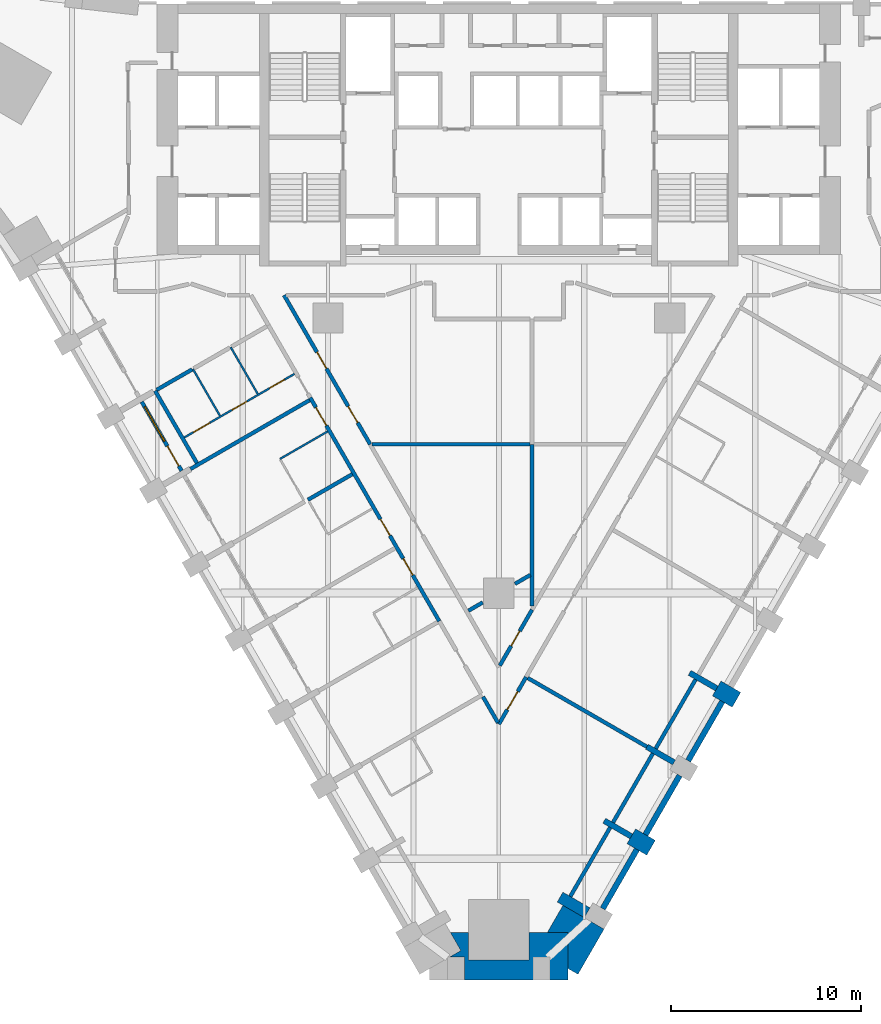
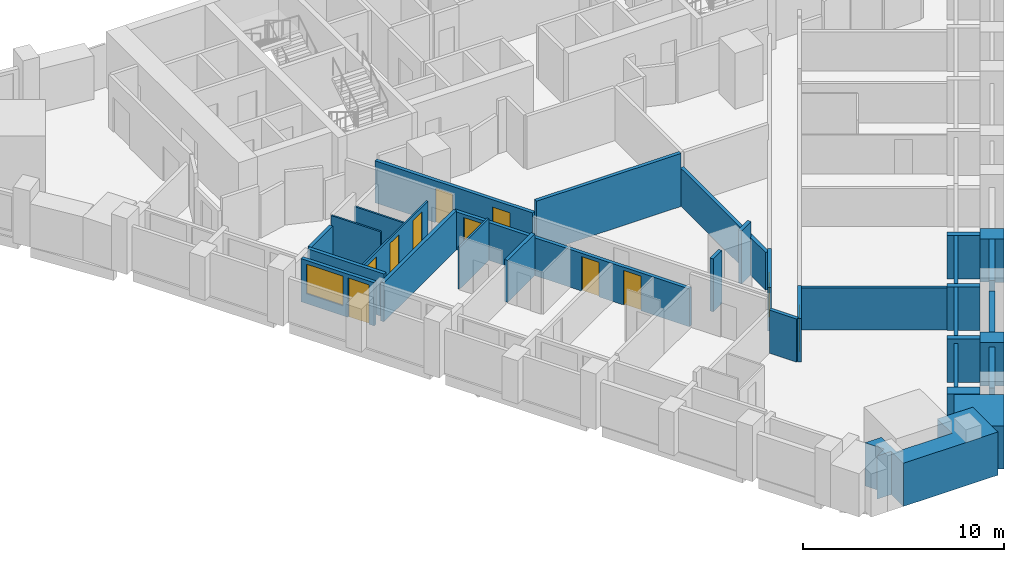
# One storey, part 4 of 11: 33 walls, 11 doors, 1 window, 12 openings.
"""IFC4 building model written with IfcOpenShell, lengths in metres."""

from ifc_helpers import new_model, si_unit, direction, frame, frame_2d, origin, place, context, subcontext, project, spatial, polyline, rectangle, outline, extrude, material, layer, layer_set, type_object, element, fill, save


model = new_model("IFC4")

# Units and contexts
model_context = context("Model", 3, precision=1e-05, world=origin(), true_north=direction((0.0, 1.0)))
body_context = subcontext(model_context, "Body", "Model", "MODEL_VIEW")
ifc_project = project(units=[si_unit("LENGTHUNIT", "METRE"), si_unit("AREAUNIT", "SQUARE_METRE"), si_unit("VOLUMEUNIT", "CUBIC_METRE"), si_unit("PLANEANGLEUNIT", "RADIAN"), si_unit("MASSUNIT", "GRAM", prefix="KILO")], contexts=[model_context])

# Site, building, storey
site_placement = place(None, origin())
site = spatial("IfcSite", under=ifc_project, at=site_placement, CompositionType="ELEMENT")
building_placement = place(site_placement, origin())
building = spatial("IfcBuilding", under=site, at=building_placement, Name="Calabash Gate Tower", CompositionType="ELEMENT")
storey_placement = place(building_placement, frame((0.0, 0.0, 49.39990234375)))
storey = spatial("IfcBuildingStorey", under=building, at=storey_placement, Name="L07", CompositionType="ELEMENT", Elevation=49.39990234375)

# Walls
ifc_material_1 = material(Name="Terracotta brick masonry, exposed face", Category="masonry")
ifc_layer_1 = layer(ifc_material_1, 2.5)
ifc_layer_set_1 = layer_set([ifc_layer_1], Name="Brick corner mass wall 2500")
wall_type_1 = type_object("IfcWallType", Name="Brick corner mass wall 2500", PredefinedType="SOLIDWALL", material=ifc_layer_set_1)
wall_1_placement = place(storey_placement, origin())
element("IfcWall", 1, at=wall_1_placement, inside=storey, type_object=wall_type_1, Name="Brick corner pier S01 2bb", PredefinedType="SOLIDWALL", context=body_context, shape_type="SweptSolid", body=[
    extrude(outline(polyline([(-1.800048828125, -31.18310546875), (-1.800048828125, -32.383056640625), (3.64990234375, -32.383056640625), (3.64990234375, -29.883056640625), (1.60009765625, -29.883056640625), (1.60009765625, -31.3330078125), (-1.60009765625, -31.3330078125), (-1.60009765625, -29.883056640625), (-2.552978515625, -29.883056640625), (-2.004638671875, -30.833251953125), (-2.610595703125, -31.18310546875), (-1.800048828125, -31.18310546875)])), origin(), (0.0, 0.0, 1.0), 2.630126953125),
])
wall_2_placement = place(storey_placement, origin())
element("IfcWall", 2, at=wall_2_placement, inside=storey, type_object=wall_type_1, Name="Brick corner pier S01 2c", PredefinedType="SOLIDWALL", context=body_context, shape_type="SweptSolid", body=[
    extrude(outline(polyline([(4.50537109375, -29.1015625), (3.379638671875, -28.45166015625), (2.552978515625, -29.883056640625), (3.64990234375, -29.883056640625), (3.64990234375, -31.783203125), (4.169677734375, -32.083251953125), (5.54443359375, -29.70166015625), (4.50537109375, -29.101806640625), (4.50537109375, -29.1015625)])), origin(), (0.0, 0.0, 1.0), 2.630126953125),
])
ifc_material_2 = material(Name="Terracotta brick masonry, exposed face", Category="masonry")
ifc_layer_2 = layer(ifc_material_2, 1.199951171875)
ifc_layer_set_2 = layer_set([ifc_layer_2], Name="Brick end wall 1200")
wall_type_2 = type_object("IfcWallType", Name="Brick end wall 1200", PredefinedType="SOLIDWALL", material=ifc_layer_set_2)
for number, where, z_axis, x_axis, name in (
    (3, (6.98046875, -24.814697265625, 0.0), (0.0, 0.0, 1.0), (0.865955154139, -0.50012165622, 0.0), "Brick pier S01 SE2.1"),
    (4, (12.51953125, -17.62060546875, 0.0), (0.0, 0.0, 1.0), (-0.865955154139, 0.50012165622, 0.0), "Brick pier S01 SE2.3"),
):
    element("IfcWall", number, at=place(storey_placement, frame(where, z_axis=z_axis, x_axis=x_axis)), inside=storey, type_object=wall_type_2, Name=name, PredefinedType="SOLIDWALL", context=body_context, shape_type="SweptSolid", body=[
        extrude(rectangle(XDim=1.199951171875, YDim=0.89990234375, at=frame_2d((0.60009765625, 0.0))), origin(), (0.0, 0.0, 1.0), 2.630126953125),
    ])
ifc_material_3 = material(Name="Terracotta brick masonry, exposed face", Category="masonry")
ifc_layer_3 = layer(ifc_material_3, 0.300048828125)
ifc_layer_set_3 = layer_set([ifc_layer_3], Name="Brick infill panel wall 300")
wall_type_3 = type_object("IfcWallType", Name="Brick infill panel wall 300", PredefinedType="SOLIDWALL", material=ifc_layer_set_3)
wall_3_placement = place(storey_placement, frame((5.47509765625, -28.6220703125, 0.0), z_axis=(0.0, 0.0, 1.0), x_axis=(0.499961193289, 0.866047807691, 0.0)))
element("IfcWall", 5, at=wall_3_placement, inside=storey, type_object=wall_type_3, Name="Brick panel S01 SE2.1", PredefinedType="SOLIDWALL", context=body_context, shape_type="SweptSolid", body=[
    extrude(rectangle(XDim=3.599853515625, YDim=0.300048828125, at=frame_2d((1.7998046875, 0.0))), origin(), (0.0, 0.0, 1.0), 2.3740234375),
])
for number, where, z_axis, x_axis, name in (
    (6, (7.72509765625, -24.72509765625, 0.0), (0.0, 0.0, 1.0), (0.499961193289, 0.866047807691, 0.0), "Brick panel S01 SE2.2"),
    (7, (9.97509765625, -20.827880859375, 0.0), (0.0, 0.0, 1.0), (0.499961193289, 0.866047807691, 0.0), "Brick panel S01 SE2.3"),
):
    element("IfcWall", number, at=place(storey_placement, frame(where, z_axis=z_axis, x_axis=x_axis)), inside=storey, type_object=wall_type_3, Name=name, PredefinedType="SOLIDWALL", context=body_context, shape_type="SweptSolid", body=[
        extrude(rectangle(XDim=3.599853515625, YDim=0.300048828125, at=frame_2d((1.7998046875, 0.0))), origin(), (0.0, 0.0, 1.0), 2.630126953125),
    ])
ifc_material_4 = material(Name="Terracotta brick masonry, exposed face", Category="masonry")
ifc_layer_4 = layer(ifc_material_4, 0.300048828125)
ifc_layer_set_4 = layer_set([ifc_layer_4], Name="Brick loggia cheek wall 300")
wall_type_4 = type_object("IfcWallType", Name="Brick loggia cheek wall 300", PredefinedType="SOLIDWALL", material=ifc_layer_set_4)
wall_4_placement = place(storey_placement, frame((3.226318359375, -28.016845703125, 0.0), z_axis=(0.0, 0.0, 1.0), x_axis=(0.866040211805, -0.499974350878, 0.0)))
element("IfcWall", 8, at=wall_4_placement, inside=storey, type_object=wall_type_4, Name="Loggia cheek S01 SE2.0", PredefinedType="SOLIDWALL", context=body_context, shape_type="SweptSolid", body=[
    extrude(rectangle(XDim=1.64990234375, YDim=0.60009765625, at=frame_2d((0.824951171875, 0.0))), origin(), (0.0, 0.0, 1.0), 2.650146484375),
])
wall_5_placement = place(storey_placement, frame((6.98046875, -24.814697265625, 0.0), z_axis=(0.0, 0.0, 1.0), x_axis=(-0.866040211805, 0.499974350878, 0.0)))
element("IfcWall", 9, at=wall_5_placement, inside=storey, type_object=wall_type_4, Name="Loggia cheek S01 SE2.1", PredefinedType="SOLIDWALL", context=body_context, shape_type="SweptSolid", body=[
    extrude(rectangle(XDim=1.64990234375, YDim=0.300048828125, at=frame_2d((0.824951171875, 0.0))), origin(), (0.0, 0.0, 1.0), 2.650146484375),
])
wall_6_placement = place(storey_placement, frame((7.801513671875, -20.092529296875, 0.0), z_axis=(0.0, 0.0, 1.0), x_axis=(0.865976140824, -0.500085316245, 0.0)))
element("IfcWall", 10, at=wall_6_placement, inside=storey, type_object=wall_type_4, Name="Loggia cheek S01 SE2.2", PredefinedType="SOLIDWALL", context=body_context, shape_type="SweptSolid", body=[
    extrude(rectangle(XDim=1.650146484375, YDim=0.300048828125, at=frame_2d((0.8251953125, 0.0))), origin(), (0.0, 0.0, 1.0), 2.650146484375),
])
wall_7_placement = place(storey_placement, frame((11.48046875, -17.0205078125, 0.0), z_axis=(0.0, 0.0, 1.0), x_axis=(-0.866040211805, 0.499974350878, 0.0)))
element("IfcWall", 11, at=wall_7_placement, inside=storey, type_object=wall_type_4, Name="Loggia cheek S01 SE2.3", PredefinedType="SOLIDWALL", context=body_context, shape_type="SweptSolid", body=[
    extrude(rectangle(XDim=1.64990234375, YDim=0.300048828125, at=frame_2d((0.824951171875, 0.0))), origin(), (0.0, 0.0, 1.0), 2.650146484375),
])

# Wall, openings, doors
ifc_material_5 = material(Name="Gypsum board on steel studs, mineral wool", Category="steel")
ifc_layer_5 = layer(ifc_material_5, 0.10009765625)
ifc_layer_set_5 = layer_set([ifc_layer_5], Name="Partition 100 gypsum board")
wall_type_5 = type_object("IfcWallType", Name="Partition 100 gypsum board", PredefinedType="PARTITIONING", material=ifc_layer_set_5)
wall_8_placement = place(storey_placement, frame((-16.57373046875, -3.79541015625, 0.0), z_axis=(0.0, 0.0, 1.0), x_axis=(0.866015588977, 0.500016999361, 0.0)))
wall_8 = element("IfcWall", 12, at=wall_8_placement, inside=storey, type_object=wall_type_5, Name="Partition", PredefinedType="PARTITIONING", context=body_context, shape_type="SweptSolid", body=[
    extrude(rectangle(XDim=6.696533203125, YDim=0.10009765625, at=frame_2d((3.34814453125, 0.0))), origin(), (0.0, 0.0, 1.0), 2.38427734375),
])
opening_1_placement = place(wall_8_placement, frame((5.1982421875, 0.0, 0.0)))
opening_1 = element("IfcOpeningElement", 13, at=opening_1_placement, cuts=wall_8, Name="Opening 06-08-021", PredefinedType="OPENING", context=body_context, shape_type="SweptSolid", body=[
    extrude(rectangle(XDim=0.89990234375, YDim=2.10009765625, at=frame_2d((0.449951171875, 1.050048828125))), frame((0.0, 0.06005859375, 0.0), z_axis=(0.0, -1.0, 0.0), x_axis=(1.0, 0.0, 0.0)), (0.0, 0.0, 1.0), 0.1201171875),
])
opening_2_placement = place(wall_8_placement, frame((2.898193359375, 0.0, 0.0)))
opening_2 = element("IfcOpeningElement", 14, at=opening_2_placement, cuts=wall_8, Name="Opening 06-08-022", PredefinedType="OPENING", context=body_context, shape_type="SweptSolid", body=[
    extrude(rectangle(XDim=0.89990234375, YDim=2.10009765625, at=frame_2d((0.449951171875, 1.050048828125))), frame((0.0, 0.06005859375, 0.0), z_axis=(0.0, -1.0, 0.0), x_axis=(1.0, 0.0, 0.0)), (0.0, 0.0, 1.0), 0.1201171875),
])
opening_3_placement = place(wall_8_placement, frame((0.548095703125, 0.0, 0.0)))
opening_3 = element("IfcOpeningElement", 15, at=opening_3_placement, cuts=wall_8, Name="Opening 06-08-023", PredefinedType="OPENING", context=body_context, shape_type="SweptSolid", body=[
    extrude(rectangle(XDim=1.0, YDim=2.10009765625, at=frame_2d((0.5, 1.050048828125))), frame((0.0, 0.06005859375, 0.0), z_axis=(0.0, -1.0, 0.0), x_axis=(1.0, 0.0, 0.0)), (0.0, 0.0, 1.0), 0.1201171875),
])
ifc_material_6 = material(Name="Painted timber door", Category="wood")
door_type_1 = type_object("IfcDoorType", Name="WD1 WC door 900x2100", OperationType="NOTDEFINED", PredefinedType="DOOR", material=ifc_material_6)
door_1_placement = place(opening_1_placement, origin())
door_1 = element("IfcDoor", 16, at=door_1_placement, inside=storey, type_object=door_type_1, Name="WC door", OperationType="SINGLE_SWING_RIGHT", OverallHeight=2.10009765625, OverallWidth=0.89990234375, PredefinedType="DOOR", context=body_context, shape_type="SweptSolid", body=[
    extrude(rectangle(XDim=0.89990234375, YDim=2.10009765625, at=frame_2d((0.449951171875, 1.050048828125))), frame((0.0, 0.02490234375, 0.0), z_axis=(0.0, -1.0, 0.0), x_axis=(1.0, 0.0, 0.0)), (0.0, 0.0, 1.0), 0.050048828125),
])
fill(opening_1, door_1)
door_2_placement = place(opening_2_placement, origin())
door_2 = element("IfcDoor", 17, at=door_2_placement, inside=storey, type_object=door_type_1, Name="WC door", OperationType="SINGLE_SWING_RIGHT", OverallHeight=2.10009765625, OverallWidth=0.89990234375, PredefinedType="DOOR", context=body_context, shape_type="SweptSolid", body=[
    extrude(rectangle(XDim=0.89990234375, YDim=2.10009765625, at=frame_2d((0.449951171875, 1.050048828125))), frame((0.0, 0.02490234375, 0.0), z_axis=(0.0, -1.0, 0.0), x_axis=(1.0, 0.0, 0.0)), (0.0, 0.0, 1.0), 0.050048828125),
])
fill(opening_2, door_2)
ifc_material_7 = material(Name="Painted timber door", Category="wood")
door_type_2 = type_object("IfcDoorType", Name="WD2 Accessible WC door 1000x2100", OperationType="NOTDEFINED", PredefinedType="DOOR", material=ifc_material_7)
door_3_placement = place(opening_3_placement, origin())
door_3 = element("IfcDoor", 18, at=door_3_placement, inside=storey, type_object=door_type_2, Name="Accessible WC door", OperationType="SINGLE_SWING_LEFT", OverallHeight=2.10009765625, OverallWidth=1.0, PredefinedType="DOOR", context=body_context, shape_type="SweptSolid", body=[
    extrude(rectangle(XDim=1.0, YDim=2.10009765625, at=frame_2d((0.5, 1.050048828125))), frame((0.0, 0.02490234375, 0.0), z_axis=(0.0, -1.0, 0.0), x_axis=(1.0, 0.0, 0.0)), (0.0, 0.0, 1.0), 0.050048828125),
])
fill(opening_3, door_3)

# Walls
wall_9_placement = place(storey_placement, frame((-11.5341796875, -4.92724609375, 0.0), z_axis=(0.0, 0.0, 1.0), x_axis=(0.866293497561, 0.499535360193, 0.0)))
element("IfcWall", 19, at=wall_9_placement, inside=storey, type_object=wall_type_5, Name="Partition", PredefinedType="PARTITIONING", context=body_context, shape_type="SweptSolid", body=[
    extrude(rectangle(XDim=2.899658203125, YDim=0.10009765625, at=frame_2d((1.44970703125, 0.0))), origin(), (0.0, 0.0, 1.0), 2.552001953125),
])
wall_10_placement = place(storey_placement, frame((-16.121826171875, -0.185302734375, 0.0), z_axis=(0.0, 0.0, 1.0), x_axis=(0.500026428979, -0.866010144469, 0.0)))
element("IfcWall", 20, at=wall_10_placement, inside=storey, type_object=wall_type_5, Name="Partition", PredefinedType="PARTITIONING", context=body_context, shape_type="SweptSolid", body=[
    extrude(rectangle(XDim=2.850341796875, YDim=0.10009765625, at=frame_2d((1.42529296875, 0.0))), origin(), (0.0, 0.0, 1.0), 3.22998046875),
])
wall_11_placement = place(storey_placement, frame((-14.1298828125, 0.964599609375, 0.0), z_axis=(0.0, 0.0, 1.0), x_axis=(0.499962189394, -0.866047232647, 0.0)))
element("IfcWall", 21, at=wall_11_placement, inside=storey, type_object=wall_type_5, Name="Partition", PredefinedType="PARTITIONING", context=body_context, shape_type="SweptSolid", body=[
    extrude(rectangle(XDim=2.850341796875, YDim=0.10009765625, at=frame_2d((1.42529296875, 0.0))), origin(), (0.0, 0.0, 1.0), 2.38427734375),
])

# Wall, opening, door
ifc_material_8 = material(Name="Gypsum board on steel studs, mineral wool", Category="steel")
ifc_layer_6 = layer(ifc_material_8, 0.199951171875)
ifc_layer_set_6 = layer_set([ifc_layer_6], Name="Partition 200 gypsum board EI 60")
wall_type_6 = type_object("IfcWallType", Name="Partition 200 gypsum board EI 60", PredefinedType="PARTITIONING", material=ifc_layer_set_6)
wall_12_placement = place(storey_placement, frame((0.000244140625, -18.905517578125, 0.0), z_axis=(0.0, 0.0, 1.0), x_axis=(0.50046312627, 0.865757852545, 0.0)))
wall_12 = element("IfcWall", 22, at=wall_12_placement, inside=storey, type_object=wall_type_6, Name="Partition", PredefinedType="PARTITIONING", context=body_context, shape_type="SweptSolid", body=[
    extrude(rectangle(XDim=2.871826171875, YDim=0.199951171875, at=frame_2d((1.43603515625, 0.0))), origin(), (0.0, 0.0, 1.0), 2.628173828125),
])
opening_4_placement = place(wall_12_placement, frame((0.88623046875, 0.0, 0.0)))
opening_4 = element("IfcOpeningElement", 23, at=opening_4_placement, cuts=wall_12, Name="Opening 06-08-029", PredefinedType="OPENING", context=body_context, shape_type="SweptSolid", body=[
    extrude(rectangle(XDim=1.10009765625, YDim=2.10009765625, at=frame_2d((0.550048828125, 1.050048828125))), frame((0.0, 0.10986328125, 0.0), z_axis=(0.0, -1.0, 0.0), x_axis=(1.0, 0.0, 0.0)), (0.0, 0.0, 1.0), 0.219970703125),
])
ifc_material_9 = material(Name="Steel fire door set with fire-resisting glazing", Category="steel")
door_type_3 = type_object("IfcDoorType", Name="GD3 Suite entrance door 1100x2100", OperationType="NOTDEFINED", PredefinedType="DOOR", material=ifc_material_9)
door_4_placement = place(opening_4_placement, origin())
door_4 = element("IfcDoor", 24, at=door_4_placement, inside=storey, type_object=door_type_3, Name="Suite entrance door", OperationType="SINGLE_SWING_LEFT", OverallHeight=2.10009765625, OverallWidth=1.10009765625, PredefinedType="DOOR", context=body_context, shape_type="SweptSolid", body=[
    extrude(rectangle(XDim=1.10009765625, YDim=2.10009765625, at=frame_2d((0.550048828125, 1.050048828125))), frame((0.0, 0.02490234375, 0.0), z_axis=(0.0, -1.0, 0.0), x_axis=(1.0, 0.0, 0.0)), (0.0, 0.0, 1.0), 0.050048828125),
])
fill(opening_4, door_4)

# Walls
wall_13_placement = place(storey_placement, frame((-0.836181640625, -17.45751953125, 0.0), z_axis=(0.0, 0.0, 1.0), x_axis=(0.50013013712, -0.865950256045, 0.0)))
element("IfcWall", 25, at=wall_13_placement, inside=storey, type_object=wall_type_6, Name="Partition", PredefinedType="PARTITIONING", context=body_context, shape_type="SweptSolid", body=[
    extrude(rectangle(XDim=1.572265625, YDim=0.199951171875, at=frame_2d((0.7861328125, 0.0))), origin(), (0.0, 0.0, 1.0), 2.628173828125),
])
wall_14_placement = place(storey_placement, frame((1.522216796875, -16.469482421875, 0.0), z_axis=(0.0, 0.0, 1.0), x_axis=(0.866125590059, -0.499826432119, 0.0)))
element("IfcWall", 26, at=wall_14_placement, inside=storey, type_object=wall_type_6, Name="Partition", PredefinedType="PARTITIONING", context=body_context, shape_type="SweptSolid", body=[
    extrude(rectangle(XDim=7.24951171875, YDim=0.199951171875, at=frame_2d((3.624755859375, 0.0))), origin(), (0.0, 0.0, 1.0), 2.552001953125),
])

# Wall, opening, door
wall_15_placement = place(storey_placement, frame((0.050048828125, -15.818115234375, 0.0), z_axis=(0.0, 0.0, 1.0), x_axis=(0.499521489101, 0.866301495974, 0.0)))
wall_15 = element("IfcWall", 27, at=wall_15_placement, inside=storey, type_object=wall_type_6, Name="Partition", PredefinedType="PARTITIONING", context=body_context, shape_type="SweptSolid", body=[
    extrude(rectangle(XDim=3.400634765625, YDim=0.199951171875, at=frame_2d((1.7001953125, 0.0))), origin(), (0.0, 0.0, 1.0), 2.628173828125),
])
opening_5_placement = place(wall_15_placement, frame((1.199951171875, 0.0, 0.0)))
opening_5 = element("IfcOpeningElement", 28, at=opening_5_placement, cuts=wall_15, Name="Opening 06-08-017", PredefinedType="OPENING", context=body_context, shape_type="SweptSolid", body=[
    extrude(rectangle(XDim=0.89990234375, YDim=2.10009765625, at=frame_2d((0.449951171875, 1.050048828125))), frame((0.0, 0.10986328125, 0.0), z_axis=(0.0, -1.0, 0.0), x_axis=(1.0, 0.0, 0.0)), (0.0, 0.0, 1.0), 0.219970703125),
])
ifc_material_10 = material(Name="Steel fire door set with fire-resisting glazing", Category="steel")
door_type_4 = type_object("IfcDoorType", Name="SD3 Store door 900x2100", OperationType="NOTDEFINED", PredefinedType="DOOR", material=ifc_material_10)
door_5_placement = place(opening_5_placement, origin())
door_5 = element("IfcDoor", 29, at=door_5_placement, inside=storey, type_object=door_type_4, Name="Store door", OperationType="SINGLE_SWING_LEFT", OverallHeight=2.10009765625, OverallWidth=0.89990234375, PredefinedType="DOOR", context=body_context, shape_type="SweptSolid", body=[
    extrude(rectangle(XDim=0.89990234375, YDim=2.10009765625, at=frame_2d((0.449951171875, 1.050048828125))), frame((0.0, 0.02490234375, 0.0), z_axis=(0.0, -1.0, 0.0), x_axis=(1.0, 0.0, 0.0)), (0.0, 0.0, 1.0), 0.050048828125),
])
fill(opening_5, door_5)

# Walls
wall_16_placement = place(storey_placement, frame((-1.603515625, -12.923583984375, 0.0), z_axis=(0.0, 0.0, 1.0), x_axis=(0.866960927484, 0.498376113207, 0.0)))
element("IfcWall", 30, at=wall_16_placement, inside=storey, type_object=wall_type_6, Name="Partition", PredefinedType="PARTITIONING", context=body_context, shape_type="SweptSolid", body=[
    extrude(rectangle(XDim=0.869140625, YDim=0.199951171875, at=frame_2d((0.4345703125, 0.0))), origin(), (0.0, 0.0, 1.0), 3.22998046875),
])
wall_17_placement = place(storey_placement, frame((1.748046875, -12.673583984375, 0.0), z_axis=(0.0, 0.0, 1.0), x_axis=(0.0, 1.0, 0.0)))
element("IfcWall", 31, at=wall_17_placement, inside=storey, type_object=wall_type_6, Name="Partition", PredefinedType="PARTITIONING", context=body_context, shape_type="SweptSolid", body=[
    extrude(rectangle(XDim=8.515869140625, YDim=0.199951171875, at=frame_2d((4.2578125, 0.0))), origin(), (0.0, 0.0, 1.0), 2.302490234375),
])
wall_18_placement = place(storey_placement, frame((0.85009765625, -11.509033203125, 0.0), z_axis=(0.0, 0.0, 1.0), x_axis=(0.865248014814, 0.501344066345, 0.0)))
element("IfcWall", 32, at=wall_18_placement, inside=storey, type_object=wall_type_6, Name="Partition", PredefinedType="PARTITIONING", context=body_context, shape_type="SweptSolid", body=[
    extrude(rectangle(XDim=0.93798828125, YDim=0.199951171875, at=frame_2d((0.468994140625, 0.0))), origin(), (0.0, 0.0, 1.0), 3.22998046875),
])
wall_19_placement = place(storey_placement, frame((-10.06005859375, -7.08056640625, 0.0), z_axis=(0.0, 0.0, 1.0), x_axis=(0.866036505625, 0.499980770555, 0.0)))
element("IfcWall", 33, at=wall_19_placement, inside=storey, type_object=wall_type_6, Name="Partition", PredefinedType="PARTITIONING", context=body_context, shape_type="SweptSolid", body=[
    extrude(rectangle(XDim=2.69970703125, YDim=0.199951171875, at=frame_2d((1.349853515625, 0.0))), origin(), (0.0, 0.0, 1.0), 2.552001953125),
])
wall_20_placement = place(storey_placement, frame((-6.68310546875, -4.156005859375, 0.0), z_axis=(0.0, 0.0, 1.0), x_axis=(0.99999997896, -0.000205134212, 0.0)))
element("IfcWall", 34, at=wall_20_placement, inside=storey, type_object=wall_type_6, Name="Partition", PredefinedType="PARTITIONING", context=body_context, shape_type="SweptSolid", body=[
    extrude(rectangle(XDim=8.3310546875, YDim=0.199951171875, at=frame_2d((4.16552734375, 0.0))), origin(), (0.0, 0.0, 1.0), 3.22998046875),
])
wall_21_placement = place(storey_placement, frame((-16.25146484375, -5.456787109375, 0.0), z_axis=(0.0, 0.0, 1.0), x_axis=(0.865900080757, 0.500217003055, 0.0)))
element("IfcWall", 35, at=wall_21_placement, inside=storey, type_object=wall_type_6, Name="Partition", PredefinedType="PARTITIONING", context=body_context, shape_type="SweptSolid", body=[
    extrude(rectangle(XDim=7.249755859375, YDim=0.199951171875, at=frame_2d((3.625, 0.0))), origin(), (0.0, 0.0, 1.0), 2.38427734375),
])

# Wall, openings, doors
wall_22_placement = place(storey_placement, frame((-9.936767578125, -1.6982421875, 0.0), z_axis=(0.0, 0.0, 1.0), x_axis=(0.500001173101, -0.866024726493, 0.0)))
wall_22 = element("IfcWall", 36, at=wall_22_placement, inside=storey, type_object=wall_type_6, Name="Partition", PredefinedType="PARTITIONING", context=body_context, shape_type="SweptSolid", body=[
    extrude(rectangle(XDim=13.59765625, YDim=0.199951171875, at=frame_2d((6.798828125, 0.0))), origin(), (0.0, 0.0, 1.0), 2.302490234375),
])
opening_6_placement = place(wall_22_placement, frame((0.59765625, 0.0, 0.0)))
opening_6 = element("IfcOpeningElement", 37, at=opening_6_placement, cuts=wall_22, Name="Opening 06-08-001", PredefinedType="OPENING", context=body_context, shape_type="SweptSolid", body=[
    extrude(rectangle(XDim=1.10009765625, YDim=2.10009765625, at=frame_2d((0.550048828125, 1.050048828125))), frame((0.0, 0.10986328125, 0.0), z_axis=(0.0, -1.0, 0.0), x_axis=(1.0, 0.0, 0.0)), (0.0, 0.0, 1.0), 0.219970703125),
])
opening_7_placement = place(wall_22_placement, frame((7.397705078125, 0.0, 0.0)))
opening_7 = element("IfcOpeningElement", 38, at=opening_7_placement, cuts=wall_22, Name="Opening 06-08-003", PredefinedType="OPENING", context=body_context, shape_type="SweptSolid", body=[
    extrude(rectangle(XDim=1.0, YDim=2.10009765625, at=frame_2d((0.5, 1.050048828125))), frame((0.0, 0.10986328125, 0.0), z_axis=(0.0, -1.0, 0.0), x_axis=(1.0, 0.0, 0.0)), (0.0, 0.0, 1.0), 0.219970703125),
])
opening_8_placement = place(wall_22_placement, frame((9.797607421875, 0.0, 0.0)))
opening_8 = element("IfcOpeningElement", 39, at=opening_8_placement, cuts=wall_22, Name="Opening 06-08-005", PredefinedType="OPENING", context=body_context, shape_type="SweptSolid", body=[
    extrude(rectangle(XDim=1.0, YDim=2.10009765625, at=frame_2d((0.5, 1.050048828125))), frame((0.0, 0.10986328125, 0.0), z_axis=(0.0, -1.0, 0.0), x_axis=(1.0, 0.0, 0.0)), (0.0, 0.0, 1.0), 0.219970703125),
])
ifc_material_11 = material(Name="Steel fire door set with fire-resisting glazing", Category="steel")
door_type_5 = type_object("IfcDoorType", Name="GD1 Guest room entrance door 1000x2100", OperationType="NOTDEFINED", PredefinedType="DOOR", material=ifc_material_11)
door_6_placement = place(opening_7_placement, origin())
door_6 = element("IfcDoor", 40, at=door_6_placement, inside=storey, type_object=door_type_5, Name="Guest room entrance door", OperationType="SINGLE_SWING_LEFT", OverallHeight=2.10009765625, OverallWidth=1.0, PredefinedType="DOOR", context=body_context, shape_type="SweptSolid", body=[
    extrude(rectangle(XDim=1.0, YDim=2.10009765625, at=frame_2d((0.5, 1.050048828125))), frame((0.0, 0.02490234375, 0.0), z_axis=(0.0, -1.0, 0.0), x_axis=(1.0, 0.0, 0.0)), (0.0, 0.0, 1.0), 0.050048828125),
])
fill(opening_7, door_6)
door_7_placement = place(opening_8_placement, origin())
door_7 = element("IfcDoor", 41, at=door_7_placement, inside=storey, type_object=door_type_5, Name="Guest room entrance door", OperationType="SINGLE_SWING_RIGHT", OverallHeight=2.10009765625, OverallWidth=1.0, PredefinedType="DOOR", context=body_context, shape_type="SweptSolid", body=[
    extrude(rectangle(XDim=1.0, YDim=2.10009765625, at=frame_2d((0.5, 1.050048828125))), frame((0.0, 0.02490234375, 0.0), z_axis=(0.0, -1.0, 0.0), x_axis=(1.0, 0.0, 0.0)), (0.0, 0.0, 1.0), 0.050048828125),
])
fill(opening_8, door_7)
ifc_material_12 = material(Name="Steel fire door set with fire-resisting glazing", Category="steel")
door_type_6 = type_object("IfcDoorType", Name="GD2 Accessible guest room entrance door 1100x2100", OperationType="NOTDEFINED", PredefinedType="DOOR", material=ifc_material_12)
door_8_placement = place(opening_6_placement, origin())
door_8 = element("IfcDoor", 42, at=door_8_placement, inside=storey, type_object=door_type_6, Name="Accessible guest room entrance door", OperationType="SINGLE_SWING_RIGHT", OverallHeight=2.10009765625, OverallWidth=1.10009765625, PredefinedType="DOOR", context=body_context, shape_type="SweptSolid", body=[
    extrude(rectangle(XDim=1.10009765625, YDim=2.10009765625, at=frame_2d((0.550048828125, 1.050048828125))), frame((0.0, 0.02490234375, 0.0), z_axis=(0.0, -1.0, 0.0), x_axis=(1.0, 0.0, 0.0)), (0.0, 0.0, 1.0), 0.050048828125),
])
fill(opening_6, door_8)

# Walls
wall_23_placement = place(storey_placement, frame((-18.11181640625, -1.33447265625, 0.0), z_axis=(0.0, 0.0, 1.0), x_axis=(0.500522433527, -0.865723566467, 0.0)))
element("IfcWall", 43, at=wall_23_placement, inside=storey, type_object=wall_type_6, Name="Partition", PredefinedType="PARTITIONING", context=body_context, shape_type="SweptSolid", body=[
    extrude(rectangle(XDim=4.402099609375, YDim=0.199951171875, at=frame_2d((2.201171875, 0.0))), origin(), (0.0, 0.0, 1.0), 2.628173828125),
])
wall_24_placement = place(storey_placement, frame((-18.025146484375, -1.284423828125, 0.0), z_axis=(0.0, 0.0, 1.0), x_axis=(0.866399153158, 0.499352087617, 0.0)))
element("IfcWall", 44, at=wall_24_placement, inside=storey, type_object=wall_type_6, Name="Partition", PredefinedType="PARTITIONING", context=body_context, shape_type="SweptSolid", body=[
    extrude(rectangle(XDim=2.149658203125, YDim=0.199951171875, at=frame_2d((1.07470703125, 0.0))), origin(), (0.0, 0.0, 1.0), 2.628173828125),
])

# Wall, openings, doors
wall_25_placement = place(storey_placement, frame((-11.318603515625, 3.69970703125, 0.0), z_axis=(0.0, 0.0, 1.0), x_axis=(0.500165052219, -0.865930089868, 0.0)))
wall_25 = element("IfcWall", 45, at=wall_25_placement, inside=storey, type_object=wall_type_6, Name="Partition", PredefinedType="PARTITIONING", context=body_context, shape_type="SweptSolid", body=[
    extrude(rectangle(XDim=9.07177734375, YDim=0.199951171875, at=frame_2d((4.535888671875, 0.0))), origin(), (0.0, 0.0, 1.0), 2.552001953125),
])
opening_9_placement = place(wall_25_placement, frame((6.75830078125, 0.0, 0.0)))
opening_9 = element("IfcOpeningElement", 46, at=opening_9_placement, cuts=wall_25, Name="Opening 06-08-014", PredefinedType="OPENING", context=body_context, shape_type="SweptSolid", body=[
    extrude(rectangle(XDim=1.0, YDim=2.10009765625, at=frame_2d((0.5, 1.050048828125))), frame((0.0, 0.10986328125, 0.0), z_axis=(0.0, -1.0, 0.0), x_axis=(1.0, 0.0, 0.0)), (0.0, 0.0, 1.0), 0.219970703125),
])
opening_10_placement = place(wall_25_placement, frame((3.4658203125, 0.0, 0.0)))
opening_10 = element("IfcOpeningElement", 47, at=opening_10_placement, cuts=wall_25, Name="Opening 06-08-030", PredefinedType="OPENING", context=body_context, shape_type="SweptSolid", body=[
    extrude(rectangle(XDim=1.0, YDim=2.10009765625, at=frame_2d((0.5, 1.050048828125))), frame((0.0, 0.10986328125, 0.0), z_axis=(0.0, -1.0, 0.0), x_axis=(1.0, 0.0, 0.0)), (0.0, 0.0, 1.0), 0.219970703125),
])
ifc_material_13 = material(Name="Steel fire door set with fire-resisting glazing", Category="steel")
door_type_7 = type_object("IfcDoorType", Name="LD2 Meeting room door 1000x2100", OperationType="NOTDEFINED", PredefinedType="DOOR", material=ifc_material_13)
door_9_placement = place(opening_9_placement, origin())
door_9 = element("IfcDoor", 48, at=door_9_placement, inside=storey, type_object=door_type_7, Name="Meeting room door", OperationType="SINGLE_SWING_RIGHT", OverallHeight=2.10009765625, OverallWidth=1.0, PredefinedType="DOOR", context=body_context, shape_type="SweptSolid", body=[
    extrude(rectangle(XDim=1.0, YDim=2.10009765625, at=frame_2d((0.5, 1.050048828125))), frame((0.0, 0.02490234375, 0.0), z_axis=(0.0, -1.0, 0.0), x_axis=(1.0, 0.0, 0.0)), (0.0, 0.0, 1.0), 0.050048828125),
])
fill(opening_9, door_9)
door_10_placement = place(opening_10_placement, origin())
door_10 = element("IfcDoor", 49, at=door_10_placement, inside=storey, type_object=door_type_7, Name="Meeting room door", OperationType="SINGLE_SWING_LEFT", OverallHeight=2.10009765625, OverallWidth=1.0, PredefinedType="DOOR", context=body_context, shape_type="SweptSolid", body=[
    extrude(rectangle(XDim=1.0, YDim=2.10009765625, at=frame_2d((0.5, 1.050048828125))), frame((0.0, 0.02490234375, 0.0), z_axis=(0.0, -1.0, 0.0), x_axis=(1.0, 0.0, 0.0)), (0.0, 0.0, 1.0), 0.050048828125),
])
fill(opening_10, door_10)

# Wall, openings, door, window
ifc_material_14 = material(Name="Aluminium framed window wall with insulated spandrel", Category="aluminium")
ifc_layer_7 = layer(ifc_material_14, 0.199951171875)
ifc_layer_set_7 = layer_set([ifc_layer_7], Name="Window wall 200")
wall_type_7 = type_object("IfcWallType", Name="Window wall 200", PredefinedType="ELEMENTEDWALL", material=ifc_layer_set_7)
wall_26_placement = place(storey_placement, frame((-18.816162109375, -1.91455078125, 0.0), z_axis=(0.0, 0.0, 1.0), x_axis=(0.500002543286, -0.866023935413, 0.0)))
wall_26 = element("IfcWall", 50, at=wall_26_placement, inside=storey, type_object=wall_type_7, Name="Window wall S01 SW0.3", PredefinedType="ELEMENTEDWALL", context=body_context, shape_type="SweptSolid", body=[
    extrude(rectangle(XDim=4.2001953125, YDim=0.199951171875, at=frame_2d((2.10009765625, 0.0))), origin(), (0.0, 0.0, 1.0), 2.628173828125),
])
opening_11_placement = place(wall_26_placement, frame((0.300048828125, 0.0, 0.60009765625)))
opening_11 = element("IfcOpeningElement", 51, at=opening_11_placement, cuts=wall_26, Name="Opening HW1", PredefinedType="OPENING", context=body_context, shape_type="SweptSolid", body=[
    extrude(rectangle(XDim=2.10009765625, YDim=1.800048828125, at=frame_2d((1.050048828125, 0.89990234375))), frame((0.0, 0.10986328125, 0.0), z_axis=(0.0, -1.0, 0.0), x_axis=(1.0, 0.0, 0.0)), (0.0, 0.0, 1.0), 0.219970703125),
])
opening_12_placement = place(wall_26_placement, frame((2.699951171875, 0.0, 0.0)))
opening_12 = element("IfcOpeningElement", 52, at=opening_12_placement, cuts=wall_26, Name="Opening H1-027", PredefinedType="OPENING", context=body_context, shape_type="SweptSolid", body=[
    extrude(rectangle(XDim=1.199951171875, YDim=2.39990234375, at=frame_2d((0.60009765625, 1.199951171875))), frame((0.0, 0.10986328125, 0.0), z_axis=(0.0, -1.0, 0.0), x_axis=(1.0, 0.0, 0.0)), (0.0, 0.0, 1.0), 0.219970703125),
])
ifc_material_15 = material(Name="Anodised aluminium frame, bronze finish, impact-rated laminated clear glazing", Category="aluminium")
door_type_8 = type_object("IfcDoorType", Name="Loggia door DH1 1200x2400", OperationType="SLIDING_TO_LEFT", PredefinedType="DOOR", material=ifc_material_15)
door_11_placement = place(opening_12_placement, origin())
door_11 = element("IfcDoor", 53, at=door_11_placement, inside=storey, type_object=door_type_8, Name="Loggia door S01 SW0.3", OperationType="SINGLE_SWING_LEFT", OverallHeight=2.39990234375, OverallWidth=1.199951171875, PredefinedType="DOOR", context=body_context, shape_type="SweptSolid", body=[
    extrude(rectangle(XDim=1.199951171875, YDim=2.39990234375, at=frame_2d((0.60009765625, 1.199951171875))), frame((0.0, 0.02490234375, 0.0), z_axis=(0.0, -1.0, 0.0), x_axis=(1.0, 0.0, 0.0)), (0.0, 0.0, 1.0), 0.050048828125),
])
fill(opening_12, door_11)
ifc_material_16 = material(Name="Anodised aluminium frame, bronze finish, impact-rated laminated clear glazing", Category="aluminium")
window_type = type_object("IfcWindowType", Name="Window HW1 2100x1800", PartitioningType="DOUBLE_PANEL_VERTICAL", PredefinedType="WINDOW", material=ifc_material_16)
window_placement = place(opening_11_placement, origin())
window = element("IfcWindow", 54, at=window_placement, inside=storey, type_object=window_type, Name="Window HW1 S01 SW0.3", OverallHeight=1.800048828125, OverallWidth=2.10009765625, PartitioningType="SINGLE_PANEL", PredefinedType="WINDOW", context=body_context, shape_type="SweptSolid", body=[
    extrude(rectangle(XDim=2.10009765625, YDim=1.800048828125, at=frame_2d((1.050048828125, 0.89990234375))), frame((0.0, 0.030029296875, 0.0), z_axis=(0.0, -1.0, 0.0), x_axis=(1.0, 0.0, 0.0)), (0.0, 0.0, 1.0), 0.06005859375),
])
fill(opening_11, window)

# Walls
wall_27_placement = place(storey_placement, frame((3.76611328125, -27.98193359375, 0.0), z_axis=(0.0, 0.0, 1.0), x_axis=(0.500027713859, 0.866009402589, 0.0)))
element("IfcWall", 55, at=wall_27_placement, inside=storey, type_object=wall_type_7, Name="Window wall S01 SE2.1", PredefinedType="ELEMENTEDWALL", context=body_context, shape_type="SweptSolid", body=[
    extrude(rectangle(XDim=4.199951171875, YDim=0.199951171875, at=frame_2d((2.10009765625, 0.0))), origin(), (0.0, 0.0, 1.0), 2.3740234375),
])
wall_28_placement = place(storey_placement, frame((6.01611328125, -24.084716796875, 0.0), z_axis=(0.0, 0.0, 1.0), x_axis=(0.500027713859, 0.866009402589, 0.0)))
element("IfcWall", 56, at=wall_28_placement, inside=storey, type_object=wall_type_7, Name="Window wall S01 SE2.2", PredefinedType="ELEMENTEDWALL", context=body_context, shape_type="SweptSolid", body=[
    extrude(rectangle(XDim=4.199951171875, YDim=0.199951171875, at=frame_2d((2.10009765625, 0.0))), origin(), (0.0, 0.0, 1.0), 2.650146484375),
])
wall_29_placement = place(storey_placement, frame((8.26611328125, -20.187744140625, 0.0), z_axis=(0.0, 0.0, 1.0), x_axis=(0.500002543286, 0.866023935413, 0.0)))
element("IfcWall", 57, at=wall_29_placement, inside=storey, type_object=wall_type_7, Name="Window wall S01 SE2.3", PredefinedType="ELEMENTEDWALL", context=body_context, shape_type="SweptSolid", body=[
    extrude(rectangle(XDim=4.2001953125, YDim=0.199951171875, at=frame_2d((2.10009765625, 0.0))), origin(), (0.0, 0.0, 1.0), 2.650146484375),
])

save(model, "model.ifc")
